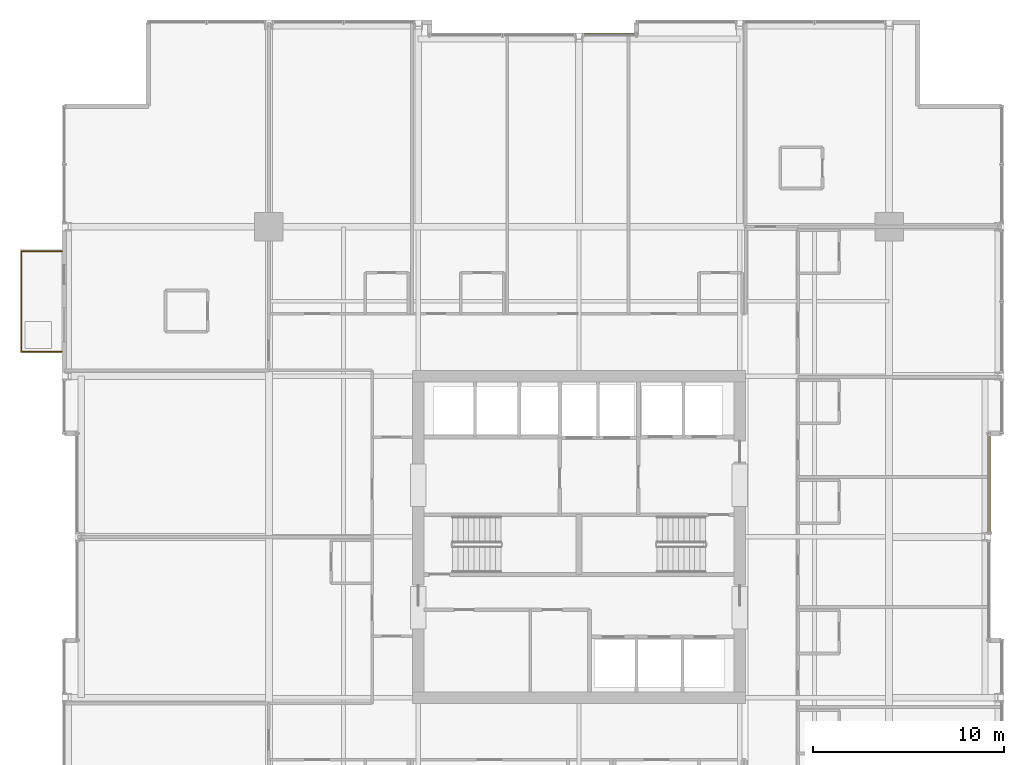
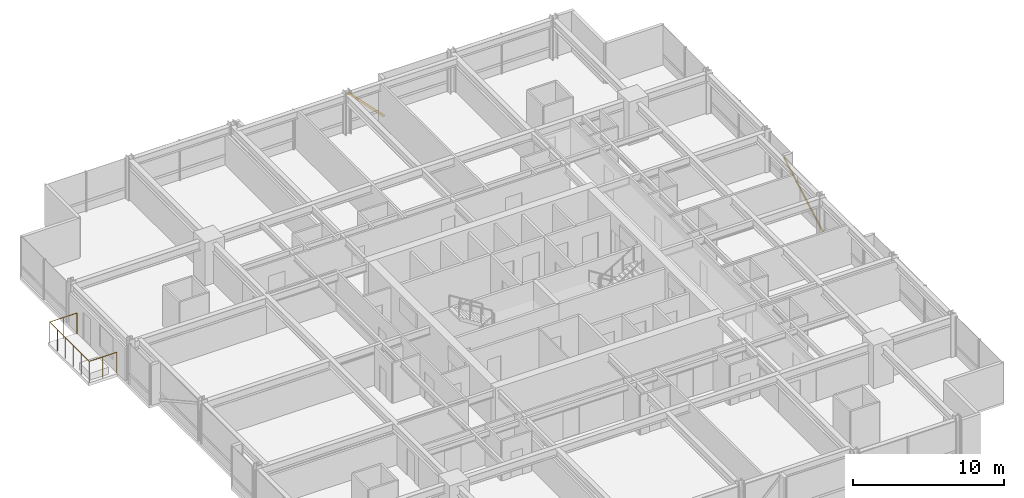
# One storey, part 35 of 35: 2 shading devices, 1 railing.
"""IFC4 building model written with IfcOpenShell, lengths in metres."""

from ifc_helpers import new_model, si_unit, direction, frame, origin, origin_2d, place, context, subcontext, project, spatial, hollow_rectangle, circle, extrude, material, material_profile, profile_set, type_object, element, save


model = new_model("IFC4")

# Units and contexts
model_context = context("Model", 3, precision=1e-05, world=origin(), true_north=direction((0.0, 1.0)))
body_context = subcontext(model_context, "Body", "Model", "MODEL_VIEW")
ifc_project = project(units=[si_unit("LENGTHUNIT", "METRE"), si_unit("AREAUNIT", "SQUARE_METRE"), si_unit("VOLUMEUNIT", "CUBIC_METRE"), si_unit("PLANEANGLEUNIT", "RADIAN"), si_unit("MASSUNIT", "GRAM", prefix="KILO")], contexts=[model_context])

# Site, building, storey
site_placement = place(None, origin())
site = spatial("IfcSite", under=ifc_project, at=site_placement, CompositionType="ELEMENT")
building_placement = place(site_placement, origin())
building = spatial("IfcBuilding", under=site, at=building_placement, Name="Drelvath Grand Hotel", CompositionType="ELEMENT")
storey_placement = place(building_placement, frame((0.0, 0.0, 123.300048828125)))
storey = spatial("IfcBuildingStorey", under=building, at=storey_placement, Name="L31", CompositionType="ELEMENT", Elevation=123.300048828125)

# Shading devices
ifc_material_1 = material(Name="Champagne Bronze Anodised Aluminium", Category="aluminium")
ifc_material_profile = material_profile(ifc_material_1, hollow_rectangle(XDim=0.06494140625, YDim=0.159912109375, WallThickness=0.00390625, at=origin_2d()), Name="HSS160X65X4")
ifc_profile_set = profile_set([ifc_material_profile], Name="Champagne Bronze Anodised Aluminium")
shading_device_type = type_object("IfcShadingDeviceType", Name="Diagonal Solar Fin Champagne Anodised HSS160X65X4", PredefinedType="USERDEFINED", material=ifc_profile_set)
shading_device_1_placement = place(storey_placement, frame((21.47998046875, 27.20947265625, 0.179931640625), z_axis=(0.0, 0.874403549895, 0.485199373383), x_axis=(-1.0, 0.0, 0.0)))
element("IfcShadingDevice", 1, at=shading_device_1_placement, inside=storey, type_object=shading_device_type, Name="L31 Diagonal Anodised Fin CW03-L31-EM2", ObjectType="FIN", PredefinedType="USERDEFINED", context=body_context, shape_type="SweptSolid", body=[
    extrude(hollow_rectangle(XDim=0.06494140625, YDim=0.159912109375, WallThickness=0.00390625, at=origin_2d()), origin(), (0.0, 0.0, 1.0), 5.93603515625),
])
shading_device_2_placement = place(storey_placement, frame((3.0, 53.280029296875, 0.179931640625), z_axis=(-0.69584722953, 0.0, 0.718189830863), x_axis=(0.0, -1.0, 0.0)))
element("IfcShadingDevice", 2, at=shading_device_2_placement, inside=storey, type_object=shading_device_type, Name="L31 Diagonal Anodised Fin CW03-L31-NM2", ObjectType="FIN", PredefinedType="USERDEFINED", context=body_context, shape_type="SweptSolid", body=[
    extrude(hollow_rectangle(XDim=0.06494140625, YDim=0.159912109375, WallThickness=0.00390625, at=origin_2d()), origin(), (0.0, 0.0, 1.0), 4.01025390625),
])

# Railing
ifc_material_2 = material(Name="Anodised Aluminium and Laminated Glass Balustrade", Category="aluminium")
railing_type = type_object("IfcRailingType", Name="Raised Planter Edge Balustrade 1700", PredefinedType="BALUSTRADE", material=ifc_material_2)
railing_placement = place(storey_placement, frame((-27.02001953125, 36.679931640625, 0.0)))
element("IfcRailing", 3, at=railing_placement, inside=storey, type_object=railing_type, Name="L31 Tree Balcony Perimeter Balustrade 1", PredefinedType="BALUSTRADE", context=body_context, shape_type="SweptSolid", body=[
    extrude(circle(Radius=0.02392578125, at=origin_2d()), frame((0.0, 0.0, 1.67578125), z_axis=(-1.0, 0.0, 0.0), x_axis=(0.0, -1.0, 0.0)), (0.0, 0.0, 1.0), 2.10009765625),
    extrude(circle(Radius=0.02392578125, at=origin_2d()), frame((-2.10009765625, 0.0, 1.67578125), z_axis=(0.0, 1.0, 0.0), x_axis=(-1.0, 0.0, 0.0)), (0.0, 0.0, 1.0), 5.239990234375),
    extrude(circle(Radius=0.02392578125, at=origin_2d()), frame((-2.10009765625, 5.239990234375, 1.67578125), z_axis=(1.0, 0.0, 0.0), x_axis=(0.0, 1.0, 0.0)), (0.0, 0.0, 1.0), 2.10009765625),
    extrude(circle(Radius=0.02099609375, at=origin_2d()), origin(), (0.0, 0.0, 1.0), 1.65185546875),
    extrude(circle(Radius=0.02099609375, at=origin_2d()), frame((-1.050048828125, 0.0, 0.0)), (0.0, 0.0, 1.0), 1.65185546875),
    extrude(circle(Radius=0.02099609375, at=origin_2d()), frame((-2.10009765625, 0.0, 0.0)), (0.0, 0.0, 1.0), 1.65185546875),
    extrude(circle(Radius=0.02099609375, at=origin_2d()), frame((-2.10009765625, 1.048095703125, 0.0)), (0.0, 0.0, 1.0), 1.65185546875),
    extrude(circle(Radius=0.02099609375, at=origin_2d()), frame((-2.10009765625, 2.095947265625, 0.0)), (0.0, 0.0, 1.0), 1.65185546875),
    extrude(circle(Radius=0.02099609375, at=origin_2d()), frame((-2.10009765625, 3.14404296875, 0.0)), (0.0, 0.0, 1.0), 1.65185546875),
    extrude(circle(Radius=0.02099609375, at=origin_2d()), frame((-2.10009765625, 4.19189453125, 0.0)), (0.0, 0.0, 1.0), 1.65185546875),
    extrude(circle(Radius=0.02099609375, at=origin_2d()), frame((-2.10009765625, 5.239990234375, 0.0)), (0.0, 0.0, 1.0), 1.65185546875),
    extrude(circle(Radius=0.02099609375, at=origin_2d()), frame((-1.050048828125, 5.239990234375, 0.0)), (0.0, 0.0, 1.0), 1.65185546875),
    extrude(circle(Radius=0.02099609375, at=origin_2d()), frame((0.0, 5.239990234375, 0.0)), (0.0, 0.0, 1.0), 1.65185546875),
])

save(model, "model.ifc")
